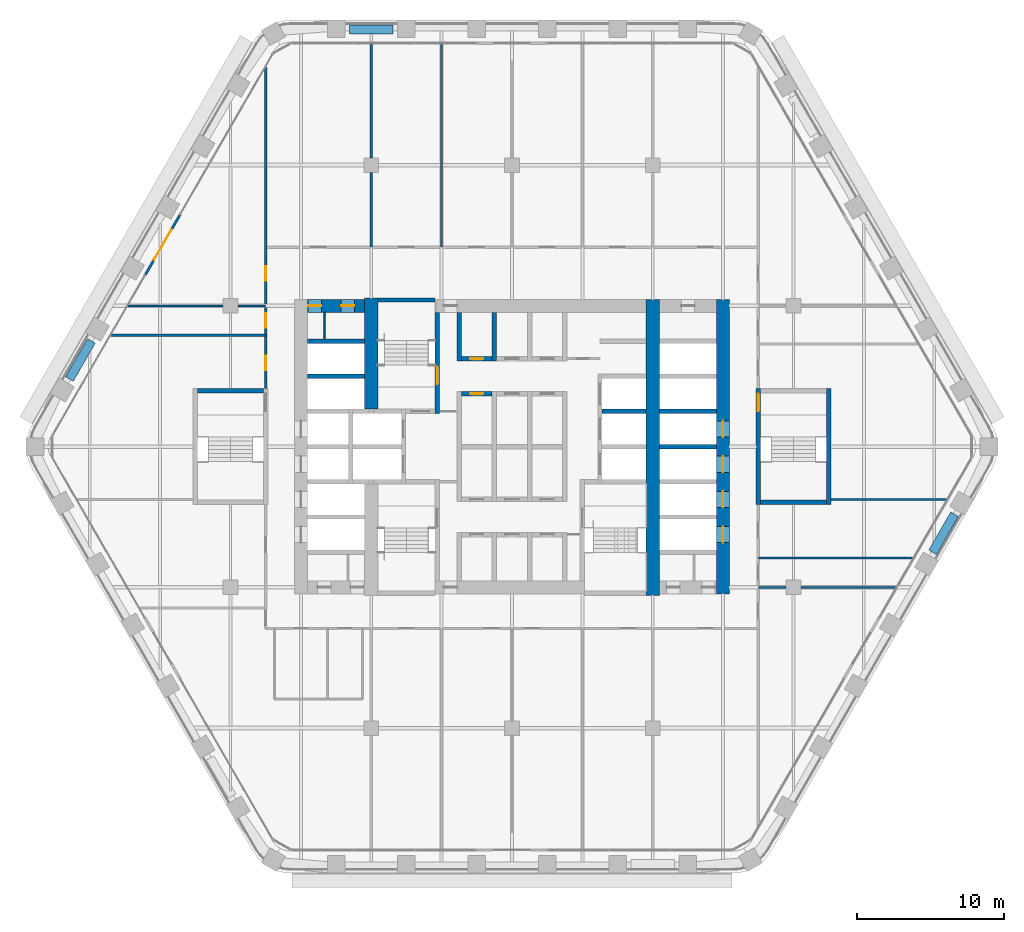
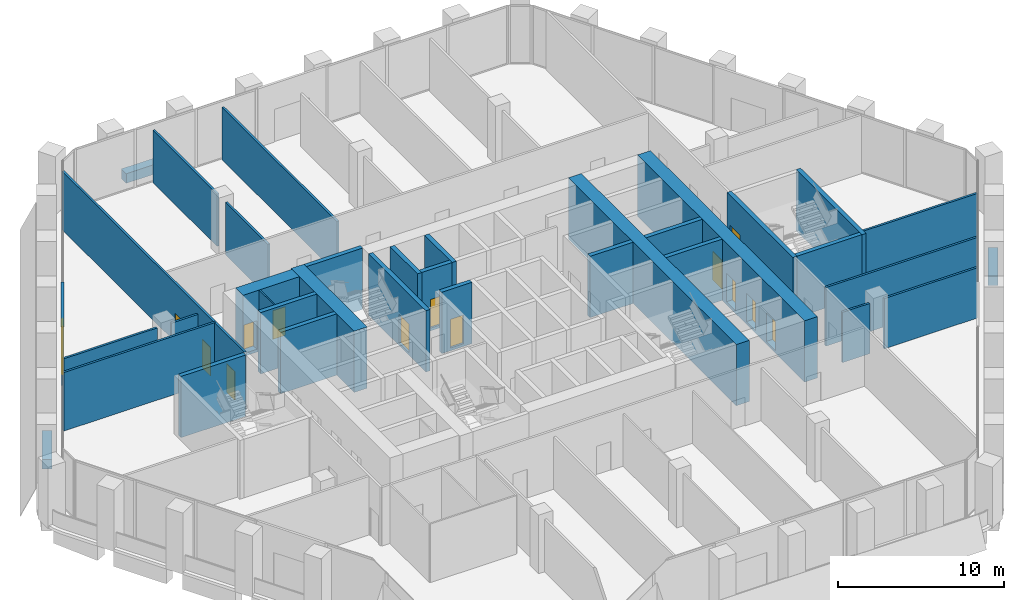
# One storey, part 15 of 22: 35 walls, 14 doors, 14 openings.
"""IFC4 building model written with IfcOpenShell, lengths in metres."""

from ifc_helpers import new_model, si_unit, direction, frame, frame_2d, origin, place, context, subcontext, project, spatial, rectangle, extrude, material, layer, layer_set, type_object, element, fill, save


model = new_model("IFC4")

# Units and contexts
model_context = context("Model", 3, precision=1e-05, world=origin(), true_north=direction((0.0, 1.0)))
body_context = subcontext(model_context, "Body", "Model", "MODEL_VIEW")
ifc_project = project(units=[si_unit("LENGTHUNIT", "METRE"), si_unit("AREAUNIT", "SQUARE_METRE"), si_unit("VOLUMEUNIT", "CUBIC_METRE"), si_unit("PLANEANGLEUNIT", "RADIAN"), si_unit("MASSUNIT", "GRAM", prefix="KILO")], contexts=[model_context])

# Site, building, storey
site_placement = place(None, origin())
site = spatial("IfcSite", under=ifc_project, at=site_placement, CompositionType="ELEMENT")
building_placement = place(site_placement, origin())
building = spatial("IfcBuilding", under=site, at=building_placement, Name="Kolab Exchange Tower", CompositionType="ELEMENT")
storey_placement = place(building_placement, frame((0.0, 0.0, 113.89990234375)))
storey = spatial("IfcBuildingStorey", under=building, at=storey_placement, Name="L22", CompositionType="ELEMENT", Elevation=113.89990234375)

# Wall, openings, doors
ifc_material_1 = material(Name="Concrete C70/85", Category="concrete")
ifc_layer_1 = layer(ifc_material_1, 0.89990234375)
ifc_layer_set_1 = layer_set([ifc_layer_1], Name="Concrete C70/85")
wall_type_1 = type_object("IfcWallType", Name="CORE WALL 900 C70/85", PredefinedType="SHEAR", material=ifc_layer_set_1)
wall_1_placement = place(storey_placement, frame((-13.949951171875, 9.60009765625, -0.199951171875), z_axis=(0.0, 0.0, 1.0), x_axis=(1.0, 0.0, 0.0)))
wall_1 = element("IfcWall", 1, at=wall_1_placement, inside=storey, type_object=wall_type_1, Name="wall/L22/core/051", PredefinedType="SHEAR", context=body_context, shape_type="SweptSolid", body=[
    extrude(rectangle(XDim=3.89990234375, YDim=0.89990234375, at=frame_2d((1.949951171875, 0.0))), origin(), (0.0, 0.0, 1.0), 4.5),
])
opening_1_placement = place(wall_1_placement, frame((0.050048828125, 0.0, 0.199951171875)))
opening_1 = element("IfcOpeningElement", 2, at=opening_1_placement, cuts=wall_1, Name="Opening D6-217", PredefinedType="OPENING", context=body_context, shape_type="SweptSolid", body=[
    extrude(rectangle(XDim=0.89990234375, YDim=2.10009765625, at=frame_2d((0.449951171875, 1.050048828125))), frame((0.0, 0.4599609375, 0.0), z_axis=(0.0, -1.0, 0.0), x_axis=(1.0, 0.0, 0.0)), (0.0, 0.0, 1.0), 0.919921875),
])
opening_2_placement = place(wall_1_placement, frame((2.300048828125, 0.0, 0.199951171875)))
opening_2 = element("IfcOpeningElement", 3, at=opening_2_placement, cuts=wall_1, Name="Opening D6-231", PredefinedType="OPENING", context=body_context, shape_type="SweptSolid", body=[
    extrude(rectangle(XDim=0.89990234375, YDim=2.10009765625, at=frame_2d((0.449951171875, 1.050048828125))), frame((0.0, 0.4599609375, 0.0), z_axis=(0.0, -1.0, 0.0), x_axis=(1.0, 0.0, 0.0)), (0.0, 0.0, 1.0), 0.919921875),
])
ifc_material_2 = material(Name="Steel S235", Category="steel")
door_type_1 = type_object("IfcDoorType", Name="CORE DOOR 900 EI 120", OperationType="SINGLE_SWING_LEFT", PredefinedType="DOOR", material=ifc_material_2)
door_1_placement = place(opening_1_placement, frame((0.89990234375, 0.0, 0.0), z_axis=(0.0, 0.0, 1.0), x_axis=(-1.0, 0.0, 0.0)))
door_1 = element("IfcDoor", 4, at=door_1_placement, inside=storey, type_object=door_type_1, Name="Service room door", OperationType="SINGLE_SWING_RIGHT", OverallHeight=2.10009765625, OverallWidth=0.89990234375, PredefinedType="DOOR", context=body_context, shape_type="SweptSolid", body=[
    extrude(rectangle(XDim=0.89990234375, YDim=2.10009765625, at=frame_2d((0.449951171875, 1.050048828125))), frame((0.0, 0.02490234375, 0.0), z_axis=(0.0, -1.0, 0.0), x_axis=(1.0, 0.0, 0.0)), (0.0, 0.0, 1.0), 0.050048828125),
])
fill(opening_1, door_1)
door_2_placement = place(opening_2_placement, frame((0.89990234375, 0.0, 0.0), z_axis=(0.0, 0.0, 1.0), x_axis=(-1.0, 0.0, 0.0)))
door_2 = element("IfcDoor", 5, at=door_2_placement, inside=storey, type_object=door_type_1, Name="Service room door", OperationType="SINGLE_SWING_RIGHT", OverallHeight=2.10009765625, OverallWidth=0.89990234375, PredefinedType="DOOR", context=body_context, shape_type="SweptSolid", body=[
    extrude(rectangle(XDim=0.89990234375, YDim=2.10009765625, at=frame_2d((0.449951171875, 1.050048828125))), frame((0.0, 0.02490234375, 0.0), z_axis=(0.0, -1.0, 0.0), x_axis=(1.0, 0.0, 0.0)), (0.0, 0.0, 1.0), 0.050048828125),
])
fill(opening_2, door_2)

# Walls
wall_2_placement = place(storey_placement, frame((-9.60009765625, 2.550048828125, -0.199951171875), z_axis=(0.0, 0.0, 1.0), x_axis=(0.0, 1.0, 0.0)))
element("IfcWall", 6, at=wall_2_placement, inside=storey, type_object=wall_type_1, Name="wall/L22/core/062", PredefinedType="SHEAR", context=body_context, shape_type="SweptSolid", body=[
    extrude(rectangle(XDim=7.599853515625, YDim=0.89990234375, at=frame_2d((3.7998046875, 0.0))), origin(), (0.0, 0.0, 1.0), 4.5),
])
wall_3_placement = place(storey_placement, frame((9.60009765625, -10.14990234375, -0.199951171875), z_axis=(0.0, 0.0, 1.0), x_axis=(0.0, 1.0, 0.0)))
element("IfcWall", 7, at=wall_3_placement, inside=storey, type_object=wall_type_1, Name="wall/L22/core/080", PredefinedType="SHEAR", context=body_context, shape_type="SweptSolid", body=[
    extrude(rectangle(XDim=20.199951171875, YDim=0.89990234375, at=frame_2d((10.10009765625, 0.0))), origin(), (0.0, 0.0, 1.0), 4.5),
])

# Wall, openings, doors
wall_4_placement = place(storey_placement, frame((14.39990234375, -10.050048828125, -0.199951171875), z_axis=(0.0, 0.0, 1.0), x_axis=(0.0, 1.0, 0.0)))
wall_4 = element("IfcWall", 8, at=wall_4_placement, inside=storey, type_object=wall_type_1, Name="wall/L22/core/081", PredefinedType="SHEAR", context=body_context, shape_type="SweptSolid", body=[
    extrude(rectangle(XDim=20.10009765625, YDim=0.89990234375, at=frame_2d((10.050048828125, 0.0))), origin(), (0.0, 0.0, 1.0), 4.5),
])
opening_3_placement = place(wall_4_placement, frame((3.5, 0.0, 0.199951171875)))
opening_3 = element("IfcOpeningElement", 9, at=opening_3_placement, cuts=wall_4, Name="Opening LD1-069", PredefinedType="OPENING", context=body_context, shape_type="SweptSolid", body=[
    extrude(rectangle(XDim=1.10009765625, YDim=2.10009765625, at=frame_2d((0.550048828125, 1.050048828125))), frame((0.0, 0.4599609375, 0.0), z_axis=(0.0, -1.0, 0.0), x_axis=(1.0, 0.0, 0.0)), (0.0, 0.0, 1.0), 0.919921875),
])
opening_4_placement = place(wall_4_placement, frame((5.89990234375, 0.0, 0.199951171875)))
opening_4 = element("IfcOpeningElement", 10, at=opening_4_placement, cuts=wall_4, Name="Opening LD1-070", PredefinedType="OPENING", context=body_context, shape_type="SweptSolid", body=[
    extrude(rectangle(XDim=1.10009765625, YDim=2.10009765625, at=frame_2d((0.550048828125, 1.050048828125))), frame((0.0, 0.4599609375, 0.0), z_axis=(0.0, -1.0, 0.0), x_axis=(1.0, 0.0, 0.0)), (0.0, 0.0, 1.0), 0.919921875),
])
opening_5_placement = place(wall_4_placement, frame((8.300048828125, 0.0, 0.199951171875)))
opening_5 = element("IfcOpeningElement", 11, at=opening_5_placement, cuts=wall_4, Name="Opening LD1-071", PredefinedType="OPENING", context=body_context, shape_type="SweptSolid", body=[
    extrude(rectangle(XDim=1.10009765625, YDim=2.10009765625, at=frame_2d((0.550048828125, 1.050048828125))), frame((0.0, 0.4599609375, 0.0), z_axis=(0.0, -1.0, 0.0), x_axis=(1.0, 0.0, 0.0)), (0.0, 0.0, 1.0), 0.919921875),
])
opening_6_placement = place(wall_4_placement, frame((10.699951171875, 0.0, 0.199951171875)))
opening_6 = element("IfcOpeningElement", 12, at=opening_6_placement, cuts=wall_4, Name="Opening LD1-072", PredefinedType="OPENING", context=body_context, shape_type="SweptSolid", body=[
    extrude(rectangle(XDim=1.10009765625, YDim=2.10009765625, at=frame_2d((0.550048828125, 1.050048828125))), frame((0.0, 0.4599609375, 0.0), z_axis=(0.0, -1.0, 0.0), x_axis=(1.0, 0.0, 0.0)), (0.0, 0.0, 1.0), 0.919921875),
])
ifc_material_3 = material(Name="Stainless steel 316", Category="steel")
door_type_2 = type_object("IfcDoorType", Name="LANDING DOOR 1100 PASSENGER", OperationType="DOUBLE_DOOR_SLIDING", PredefinedType="DOOR", material=ifc_material_3)
door_3_placement = place(opening_3_placement, origin())
door_3 = element("IfcDoor", 13, at=door_3_placement, inside=storey, type_object=door_type_2, Name="Landing door LR1", OperationType="DOUBLE_DOOR_SLIDING", OverallHeight=2.10009765625, OverallWidth=1.10009765625, PredefinedType="DOOR", context=body_context, shape_type="SweptSolid", body=[
    extrude(rectangle(XDim=1.10009765625, YDim=2.10009765625, at=frame_2d((0.550048828125, 1.050048828125))), frame((0.0, 0.02490234375, 0.0), z_axis=(0.0, -1.0, 0.0), x_axis=(1.0, 0.0, 0.0)), (0.0, 0.0, 1.0), 0.050048828125),
])
fill(opening_3, door_3)
door_4_placement = place(opening_4_placement, origin())
door_4 = element("IfcDoor", 14, at=door_4_placement, inside=storey, type_object=door_type_2, Name="Landing door LR2", OperationType="DOUBLE_DOOR_SLIDING", OverallHeight=2.10009765625, OverallWidth=1.10009765625, PredefinedType="DOOR", context=body_context, shape_type="SweptSolid", body=[
    extrude(rectangle(XDim=1.10009765625, YDim=2.10009765625, at=frame_2d((0.550048828125, 1.050048828125))), frame((0.0, 0.02490234375, 0.0), z_axis=(0.0, -1.0, 0.0), x_axis=(1.0, 0.0, 0.0)), (0.0, 0.0, 1.0), 0.050048828125),
])
fill(opening_4, door_4)
door_5_placement = place(opening_5_placement, origin())
door_5 = element("IfcDoor", 15, at=door_5_placement, inside=storey, type_object=door_type_2, Name="Landing door LR3", OperationType="DOUBLE_DOOR_SLIDING", OverallHeight=2.10009765625, OverallWidth=1.10009765625, PredefinedType="DOOR", context=body_context, shape_type="SweptSolid", body=[
    extrude(rectangle(XDim=1.10009765625, YDim=2.10009765625, at=frame_2d((0.550048828125, 1.050048828125))), frame((0.0, 0.02490234375, 0.0), z_axis=(0.0, -1.0, 0.0), x_axis=(1.0, 0.0, 0.0)), (0.0, 0.0, 1.0), 0.050048828125),
])
fill(opening_5, door_5)
door_6_placement = place(opening_6_placement, origin())
door_6 = element("IfcDoor", 16, at=door_6_placement, inside=storey, type_object=door_type_2, Name="Landing door LR4", OperationType="DOUBLE_DOOR_SLIDING", OverallHeight=2.10009765625, OverallWidth=1.10009765625, PredefinedType="DOOR", context=body_context, shape_type="SweptSolid", body=[
    extrude(rectangle(XDim=1.10009765625, YDim=2.10009765625, at=frame_2d((0.550048828125, 1.050048828125))), frame((0.0, 0.02490234375, 0.0), z_axis=(0.0, -1.0, 0.0), x_axis=(1.0, 0.0, 0.0)), (0.0, 0.0, 1.0), 0.050048828125),
])
fill(opening_6, door_6)

# Wall, opening, door
ifc_material_4 = material(Name="Aluminium EN AW-6063 T6", Category="aluminium")
ifc_layer_2 = layer(ifc_material_4, 0.159912109375)
ifc_layer_set_2 = layer_set([ifc_layer_2], Name="Aluminium EN AW-6063 T6")
wall_type_2 = type_object("IfcWallType", Name="DOOR SURROUND WALL 160 ALUMINIUM FRAMED", PredefinedType="PARTITIONING", material=ifc_layer_set_2)
wall_5_placement = place(storey_placement, frame((-25.0166015625, 11.706787109375, 0.0), z_axis=(0.0, 0.0, 1.0), x_axis=(0.499978080042, 0.866038058908, 0.0)))
wall_5 = element("IfcWall", 17, at=wall_5_placement, inside=storey, type_object=wall_type_2, Name="Door surround wall", PredefinedType="PARTITIONING", context=body_context, shape_type="SweptSolid", body=[
    extrude(rectangle(XDim=4.739990234375, YDim=0.159912109375, at=frame_2d((2.3701171875, 0.0))), origin(), (0.0, 0.0, 1.0), 4.300048828125),
])
opening_7_placement = place(wall_5_placement, frame((1.169921875, 0.0, 0.0)))
opening_7 = element("IfcOpeningElement", 18, at=opening_7_placement, cuts=wall_5, Name="Opening GD1-039", PredefinedType="OPENING", context=body_context, shape_type="SweptSolid", body=[
    extrude(rectangle(XDim=2.39990234375, YDim=2.39990234375, at=frame_2d((1.199951171875, 1.199951171875))), frame((0.0, 0.08984375, 0.0), z_axis=(0.0, -1.0, 0.0), x_axis=(1.0, 0.0, 0.0)), (0.0, 0.0, 1.0), 0.179931640625),
])
door_type_3 = type_object("IfcDoorType", Name="LOGGIA SLIDING GLASS DOOR 2400 X 2400", OperationType="DOUBLE_DOOR_SINGLE_SWING", PredefinedType="DOOR", material=ifc_material_4)
door_7_placement = place(opening_7_placement, origin())
door_7 = element("IfcDoor", 19, at=door_7_placement, inside=storey, type_object=door_type_3, Name="Loggia door", OperationType="DOUBLE_DOOR_SLIDING", OverallHeight=2.39990234375, OverallWidth=2.39990234375, PredefinedType="DOOR", context=body_context, shape_type="SweptSolid", body=[
    extrude(rectangle(XDim=2.39990234375, YDim=2.39990234375, at=frame_2d((1.199951171875, 1.199951171875))), frame((0.0, 0.02490234375, 0.0), z_axis=(0.0, -1.0, 0.0), x_axis=(1.0, 0.0, 0.0)), (0.0, 0.0, 1.0), 0.050048828125),
])
fill(opening_7, door_7)

# Walls
ifc_material_5 = material(Name="Concrete C50/60", Category="concrete")
ifc_layer_3 = layer(ifc_material_5, 0.300048828125)
ifc_layer_set_3 = layer_set([ifc_layer_3], Name="Concrete C50/60")
wall_type_3 = type_object("IfcWallType", Name="LIFT SHAFT WALL 300 C50/60", PredefinedType="STANDARD", material=ifc_layer_set_3)
wall_6_placement = place(storey_placement, frame((10.050048828125, 0.0, -0.199951171875), z_axis=(0.0, 0.0, 1.0), x_axis=(1.0, 0.0, 0.0)))
element("IfcWall", 20, at=wall_6_placement, inside=storey, type_object=wall_type_3, Name="wall/L22/core/030", PredefinedType="STANDARD", context=body_context, shape_type="SweptSolid", body=[
    extrude(rectangle(XDim=3.89990234375, YDim=0.300048828125, at=frame_2d((1.949951171875, 0.0))), origin(), (0.0, 0.0, 1.0), 4.5),
])
wall_7_placement = place(storey_placement, frame((6.14990234375, 2.39990234375, -0.199951171875), z_axis=(0.0, 0.0, 1.0), x_axis=(1.0, 0.0, 0.0)))
element("IfcWall", 21, at=wall_7_placement, inside=storey, type_object=wall_type_3, Name="wall/L22/core/035", PredefinedType="STANDARD", context=body_context, shape_type="SweptSolid", body=[
    extrude(rectangle(XDim=3.0, YDim=0.300048828125, at=frame_2d((1.5, 0.0))), origin(), (0.0, 0.0, 1.0), 4.5),
])
wall_8_placement = place(storey_placement, frame((10.050048828125, 2.39990234375, -0.199951171875), z_axis=(0.0, 0.0, 1.0), x_axis=(1.0, 0.0, 0.0)))
element("IfcWall", 22, at=wall_8_placement, inside=storey, type_object=wall_type_3, Name="wall/L22/core/036", PredefinedType="STANDARD", context=body_context, shape_type="SweptSolid", body=[
    extrude(rectangle(XDim=3.89990234375, YDim=0.300048828125, at=frame_2d((1.949951171875, 0.0))), origin(), (0.0, 0.0, 1.0), 4.5),
])

# Wall, opening, door
wall_9_placement = place(storey_placement, frame((-3.449951171875, 3.60009765625, -0.199951171875), z_axis=(0.0, 0.0, 1.0), x_axis=(1.0, 0.0, 0.0)))
wall_9 = element("IfcWall", 23, at=wall_9_placement, inside=storey, type_object=wall_type_3, Name="wall/L22/core/037", PredefinedType="STANDARD", context=body_context, shape_type="SweptSolid", body=[
    extrude(rectangle(XDim=2.099853515625, YDim=0.300048828125, at=frame_2d((1.0498046875, 0.0))), origin(), (0.0, 0.0, 1.0), 4.5),
])
opening_8_placement = place(wall_9_placement, frame((0.60009765625, 0.0, 0.199951171875)))
opening_8 = element("IfcOpeningElement", 24, at=opening_8_placement, cuts=wall_9, Name="Opening D6-196", PredefinedType="OPENING", context=body_context, shape_type="SweptSolid", body=[
    extrude(rectangle(XDim=0.89990234375, YDim=2.10009765625, at=frame_2d((0.449951171875, 1.050048828125))), frame((0.0, 0.16015625, 0.0), z_axis=(0.0, -1.0, 0.0), x_axis=(1.0, 0.0, 0.0)), (0.0, 0.0, 1.0), 0.320068359375),
])
door_8_placement = place(opening_8_placement, frame((0.89990234375, 0.0, 0.0), z_axis=(0.0, 0.0, 1.0), x_axis=(-1.0, 0.0, 0.0)))
door_8 = element("IfcDoor", 25, at=door_8_placement, inside=storey, type_object=door_type_1, Name="Service room door", OperationType="SINGLE_SWING_LEFT", OverallHeight=2.10009765625, OverallWidth=0.89990234375, PredefinedType="DOOR", context=body_context, shape_type="SweptSolid", body=[
    extrude(rectangle(XDim=0.89990234375, YDim=2.10009765625, at=frame_2d((0.449951171875, 1.050048828125))), frame((0.0, 0.02490234375, 0.0), z_axis=(0.0, -1.0, 0.0), x_axis=(1.0, 0.0, 0.0)), (0.0, 0.0, 1.0), 0.050048828125),
])
fill(opening_8, door_8)

# Wall
wall_10_placement = place(storey_placement, frame((-13.949951171875, 4.800048828125, -0.199951171875), z_axis=(0.0, 0.0, 1.0), x_axis=(1.0, 0.0, 0.0)))
element("IfcWall", 26, at=wall_10_placement, inside=storey, type_object=wall_type_3, Name="wall/L22/core/042", PredefinedType="STANDARD", context=body_context, shape_type="SweptSolid", body=[
    extrude(rectangle(XDim=3.89990234375, YDim=0.300048828125, at=frame_2d((1.949951171875, 0.0))), origin(), (0.0, 0.0, 1.0), 4.5),
])

# Wall, opening, door
wall_11_placement = place(storey_placement, frame((-3.449951171875, 6.0, -0.199951171875), z_axis=(0.0, 0.0, 1.0), x_axis=(1.0, 0.0, 0.0)))
wall_11 = element("IfcWall", 27, at=wall_11_placement, inside=storey, type_object=wall_type_3, Name="wall/L22/core/045", PredefinedType="STANDARD", context=body_context, shape_type="SweptSolid", body=[
    extrude(rectangle(XDim=2.099853515625, YDim=0.300048828125, at=frame_2d((1.0498046875, 0.0))), origin(), (0.0, 0.0, 1.0), 4.5),
])
opening_9_placement = place(wall_11_placement, frame((0.60009765625, 0.0, 0.199951171875)))
opening_9 = element("IfcOpeningElement", 28, at=opening_9_placement, cuts=wall_11, Name="Opening D6-193", PredefinedType="OPENING", context=body_context, shape_type="SweptSolid", body=[
    extrude(rectangle(XDim=0.89990234375, YDim=2.10009765625, at=frame_2d((0.449951171875, 1.050048828125))), frame((0.0, 0.16015625, 0.0), z_axis=(0.0, -1.0, 0.0), x_axis=(1.0, 0.0, 0.0)), (0.0, 0.0, 1.0), 0.320068359375),
])
door_9_placement = place(opening_9_placement, origin())
door_9 = element("IfcDoor", 29, at=door_9_placement, inside=storey, type_object=door_type_1, Name="Service room door", OperationType="SINGLE_SWING_LEFT", OverallHeight=2.10009765625, OverallWidth=0.89990234375, PredefinedType="DOOR", context=body_context, shape_type="SweptSolid", body=[
    extrude(rectangle(XDim=0.89990234375, YDim=2.10009765625, at=frame_2d((0.449951171875, 1.050048828125))), frame((0.0, 0.02490234375, 0.0), z_axis=(0.0, -1.0, 0.0), x_axis=(1.0, 0.0, 0.0)), (0.0, 0.0, 1.0), 0.050048828125),
])
fill(opening_9, door_9)

# Walls
wall_12_placement = place(storey_placement, frame((-13.949951171875, 7.199951171875, -0.199951171875), z_axis=(0.0, 0.0, 1.0), x_axis=(1.0, 0.0, 0.0)))
element("IfcWall", 30, at=wall_12_placement, inside=storey, type_object=wall_type_3, Name="wall/L22/core/048", PredefinedType="STANDARD", context=body_context, shape_type="SweptSolid", body=[
    extrude(rectangle(XDim=3.89990234375, YDim=0.300048828125, at=frame_2d((1.949951171875, 0.0))), origin(), (0.0, 0.0, 1.0), 4.5),
])
for number, where, z_axis, x_axis, name in (
    (31, (-3.60009765625, 5.85009765625, -0.199951171875), (0.0, 0.0, 1.0), (0.0, 1.0, 0.0), "wall/L22/core/068"),
    (32, (-1.199951171875, 5.85009765625, -0.199951171875), (0.0, 0.0, 1.0), (0.0, 1.0, 0.0), "wall/L22/core/071"),
):
    element("IfcWall", number, at=place(storey_placement, frame(where, z_axis=z_axis, x_axis=x_axis)), inside=storey, type_object=wall_type_3, Name=name, PredefinedType="STANDARD", context=body_context, shape_type="SweptSolid", body=[
        extrude(rectangle(XDim=3.2998046875, YDim=0.300048828125, at=frame_2d((1.64990234375, 0.0))), origin(), (0.0, 0.0, 1.0), 4.5),
    ])
ifc_material_6 = material(Name="Gypsum board", Category="gypsum")
ifc_layer_4 = layer(ifc_material_6, 0.10009765625)
ifc_layer_set_4 = layer_set([ifc_layer_4], Name="Gypsum board")
wall_type_4 = type_object("IfcWallType", Name="PARTITION 100", PredefinedType="PARTITIONING", material=ifc_layer_set_4)
wall_13_placement = place(storey_placement, frame((-12.800048828125, 7.35009765625, 0.0), z_axis=(0.0, 0.0, 1.0), x_axis=(0.0, 1.0, 0.0)))
element("IfcWall", 33, at=wall_13_placement, inside=storey, type_object=wall_type_4, Name="Partition 022", PredefinedType="PARTITIONING", context=body_context, shape_type="SweptSolid", body=[
    extrude(rectangle(XDim=1.7998046875, YDim=0.10009765625, at=frame_2d((0.89990234375, 0.0))), origin(), (0.0, 0.0, 1.0), 4.300048828125),
])
ifc_layer_5 = layer(ifc_material_6, 0.14990234375)
ifc_layer_set_5 = layer_set([ifc_layer_5], Name="Gypsum board")
wall_type_5 = type_object("IfcWallType", Name="PARTITION 150 FIRE-RATED", PredefinedType="PARTITIONING", material=ifc_layer_set_5)
wall_14_placement = place(storey_placement, frame((-4.800048828125, 13.60009765625, 0.0), z_axis=(0.0, 0.0, 1.0), x_axis=(0.0, 1.0, 0.0)))
element("IfcWall", 34, at=wall_14_placement, inside=storey, type_object=wall_type_5, Name="Partition 014", PredefinedType="PARTITIONING", context=body_context, shape_type="SweptSolid", body=[
    extrude(rectangle(XDim=13.828369140625, YDim=0.14990234375, at=frame_2d((6.9140625, 0.0))), origin(), (0.0, 0.0, 1.0), 3.843017578125),
])
wall_15_placement = place(storey_placement, frame((-9.60009765625, 13.60009765625, 0.0), z_axis=(0.0, 0.0, 1.0), x_axis=(0.0, 1.0, 0.0)))
element("IfcWall", 35, at=wall_15_placement, inside=storey, type_object=wall_type_5, Name="Partition 017", PredefinedType="PARTITIONING", context=body_context, shape_type="SweptSolid", body=[
    extrude(rectangle(XDim=5.099853515625, YDim=0.14990234375, at=frame_2d((2.5498046875, 0.0))), origin(), (0.0, 0.0, 1.0), 3.843017578125),
])
wall_16_placement = place(storey_placement, frame((-9.60009765625, 19.699951171875, 0.0), z_axis=(0.0, 0.0, 1.0), x_axis=(0.0, 1.0, 0.0)))
element("IfcWall", 36, at=wall_16_placement, inside=storey, type_object=wall_type_5, Name="Partition 018", PredefinedType="PARTITIONING", context=body_context, shape_type="SweptSolid", body=[
    extrude(rectangle(XDim=7.728515625, YDim=0.14990234375, at=frame_2d((3.8642578125, 0.0))), origin(), (0.0, 0.0, 1.0), 3.843017578125),
])

# Wall, openings, doors
wall_17_placement = place(storey_placement, frame((-16.800048828125, 3.949951171875, 0.0), z_axis=(0.0, 0.0, 1.0), x_axis=(0.0, 1.0, 0.0)))
wall_17 = element("IfcWall", 37, at=wall_17_placement, inside=storey, type_object=wall_type_5, Name="Partition 025", PredefinedType="PARTITIONING", context=body_context, shape_type="SweptSolid", body=[
    extrude(rectangle(XDim=21.908447265625, YDim=0.14990234375, at=frame_2d((10.9541015625, 0.0))), origin(), (0.0, 0.0, 1.0), 4.300048828125),
])
opening_10_placement = place(wall_17_placement, frame((1.25, 0.0, 0.0)))
opening_10 = element("IfcOpeningElement", 38, at=opening_10_placement, cuts=wall_17, Name="Opening D1-320", PredefinedType="OPENING", context=body_context, shape_type="SweptSolid", body=[
    extrude(rectangle(XDim=1.0, YDim=2.10009765625, at=frame_2d((0.5, 1.050048828125))), frame((0.0, 0.0849609375, 0.0), z_axis=(0.0, -1.0, 0.0), x_axis=(1.0, 0.0, 0.0)), (0.0, 0.0, 1.0), 0.169921875),
])
opening_11_placement = place(wall_17_placement, frame((4.14990234375, 0.0, 0.0)))
opening_11 = element("IfcOpeningElement", 39, at=opening_11_placement, cuts=wall_17, Name="Opening D1-321", PredefinedType="OPENING", context=body_context, shape_type="SweptSolid", body=[
    extrude(rectangle(XDim=1.0, YDim=2.10009765625, at=frame_2d((0.5, 1.050048828125))), frame((0.0, 0.0849609375, 0.0), z_axis=(0.0, -1.0, 0.0), x_axis=(1.0, 0.0, 0.0)), (0.0, 0.0, 1.0), 0.169921875),
])
opening_12_placement = place(wall_17_placement, frame((7.35009765625, 0.0, 0.0)))
opening_12 = element("IfcOpeningElement", 40, at=opening_12_placement, cuts=wall_17, Name="Opening D1-322", PredefinedType="OPENING", context=body_context, shape_type="SweptSolid", body=[
    extrude(rectangle(XDim=1.0, YDim=2.10009765625, at=frame_2d((0.5, 1.050048828125))), frame((0.0, 0.0849609375, 0.0), z_axis=(0.0, -1.0, 0.0), x_axis=(1.0, 0.0, 0.0)), (0.0, 0.0, 1.0), 0.169921875),
])
door_type_4 = type_object("IfcDoorType", Name="FLUSH DOOR 1000 FD60", OperationType="SINGLE_SWING_LEFT", PredefinedType="DOOR", material=ifc_material_2)
door_10_placement = place(opening_10_placement, origin())
door_10 = element("IfcDoor", 41, at=door_10_placement, inside=storey, type_object=door_type_4, Name="Door L22-067", OperationType="SINGLE_SWING_RIGHT", OverallHeight=2.10009765625, OverallWidth=1.0, PredefinedType="DOOR", context=body_context, shape_type="SweptSolid", body=[
    extrude(rectangle(XDim=1.0, YDim=2.10009765625, at=frame_2d((0.5, 1.050048828125))), frame((0.0, 0.02490234375, 0.0), z_axis=(0.0, -1.0, 0.0), x_axis=(1.0, 0.0, 0.0)), (0.0, 0.0, 1.0), 0.050048828125),
])
fill(opening_10, door_10)
door_11_placement = place(opening_11_placement, origin())
door_11 = element("IfcDoor", 42, at=door_11_placement, inside=storey, type_object=door_type_4, Name="Door L22-068", OperationType="SINGLE_SWING_RIGHT", OverallHeight=2.10009765625, OverallWidth=1.0, PredefinedType="DOOR", context=body_context, shape_type="SweptSolid", body=[
    extrude(rectangle(XDim=1.0, YDim=2.10009765625, at=frame_2d((0.5, 1.050048828125))), frame((0.0, 0.02490234375, 0.0), z_axis=(0.0, -1.0, 0.0), x_axis=(1.0, 0.0, 0.0)), (0.0, 0.0, 1.0), 0.050048828125),
])
fill(opening_11, door_11)
door_12_placement = place(opening_12_placement, origin())
door_12 = element("IfcDoor", 43, at=door_12_placement, inside=storey, type_object=door_type_4, Name="Door L22-069", OperationType="SINGLE_SWING_LEFT", OverallHeight=2.10009765625, OverallWidth=1.0, PredefinedType="DOOR", context=body_context, shape_type="SweptSolid", body=[
    extrude(rectangle(XDim=1.0, YDim=2.10009765625, at=frame_2d((0.5, 1.050048828125))), frame((0.0, 0.02490234375, 0.0), z_axis=(0.0, -1.0, 0.0), x_axis=(1.0, 0.0, 0.0)), (0.0, 0.0, 1.0), 0.050048828125),
])
fill(opening_12, door_12)

# Walls
wall_18_placement = place(storey_placement, frame((16.800048828125, -9.60009765625, 0.0), z_axis=(0.0, 0.0, 1.0), x_axis=(1.0, 0.0, 0.0)))
element("IfcWall", 44, at=wall_18_placement, inside=storey, type_object=wall_type_5, Name="Partition 029", PredefinedType="PARTITIONING", context=body_context, shape_type="SweptSolid", body=[
    extrude(rectangle(XDim=1.89990234375, YDim=0.14990234375, at=frame_2d((0.949951171875, 0.0))), origin(), (0.0, 0.0, 1.0), 3.692138671875),
])
wall_19_placement = place(storey_placement, frame((19.699951171875, -9.60009765625, 0.0), z_axis=(0.0, 0.0, 1.0), x_axis=(1.0, 0.0, 0.0)))
element("IfcWall", 45, at=wall_19_placement, inside=storey, type_object=wall_type_5, Name="Partition 030", PredefinedType="PARTITIONING", context=body_context, shape_type="SweptSolid", body=[
    extrude(rectangle(XDim=6.48681640625, YDim=0.14990234375, at=frame_2d((3.243408203125, 0.0))), origin(), (0.0, 0.0, 1.0), 3.692138671875),
])
wall_20_placement = place(storey_placement, frame((16.800048828125, -7.60009765625, 0.0), z_axis=(0.0, 0.0, 1.0), x_axis=(1.0, 0.0, 0.0)))
element("IfcWall", 46, at=wall_20_placement, inside=storey, type_object=wall_type_5, Name="Partition 031", PredefinedType="PARTITIONING", context=body_context, shape_type="SweptSolid", body=[
    extrude(rectangle(XDim=10.54150390625, YDim=0.14990234375, at=frame_2d((5.270751953125, 0.0))), origin(), (0.0, 0.0, 1.0), 4.300048828125),
])
wall_21_placement = place(storey_placement, frame((21.75, -3.60009765625, 0.0), z_axis=(0.0, 0.0, 1.0), x_axis=(1.0, 0.0, 0.0)))
element("IfcWall", 47, at=wall_21_placement, inside=storey, type_object=wall_type_5, Name="Partition 034", PredefinedType="PARTITIONING", context=body_context, shape_type="SweptSolid", body=[
    extrude(rectangle(XDim=7.90087890625, YDim=0.14990234375, at=frame_2d((3.950439453125, 0.0))), origin(), (0.0, 0.0, 1.0), 4.300048828125),
])
wall_22_placement = place(storey_placement, frame((-27.341552734375, 7.60009765625, 0.0), z_axis=(0.0, 0.0, 1.0), x_axis=(1.0, 0.0, 0.0)))
element("IfcWall", 48, at=wall_22_placement, inside=storey, type_object=wall_type_5, Name="Partition 037", PredefinedType="PARTITIONING", context=body_context, shape_type="SweptSolid", body=[
    extrude(rectangle(XDim=10.54150390625, YDim=0.14990234375, at=frame_2d((5.270751953125, 0.0))), origin(), (0.0, 0.0, 1.0), 4.300048828125),
])
wall_23_placement = place(storey_placement, frame((-26.186767578125, 9.60009765625, 0.0), z_axis=(0.0, 0.0, 1.0), x_axis=(1.0, 0.0, 0.0)))
element("IfcWall", 49, at=wall_23_placement, inside=storey, type_object=wall_type_5, Name="Partition 038", PredefinedType="PARTITIONING", context=body_context, shape_type="SweptSolid", body=[
    extrude(rectangle(XDim=6.48681640625, YDim=0.14990234375, at=frame_2d((3.243408203125, 0.0))), origin(), (0.0, 0.0, 1.0), 3.692138671875),
])
wall_24_placement = place(storey_placement, frame((-18.699951171875, 9.60009765625, 0.0), z_axis=(0.0, 0.0, 1.0), x_axis=(1.0, 0.0, 0.0)))
element("IfcWall", 50, at=wall_24_placement, inside=storey, type_object=wall_type_5, Name="Partition 039", PredefinedType="PARTITIONING", context=body_context, shape_type="SweptSolid", body=[
    extrude(rectangle(XDim=1.89990234375, YDim=0.14990234375, at=frame_2d((0.949951171875, 0.0))), origin(), (0.0, 0.0, 1.0), 3.692138671875),
])
ifc_material_7 = material(Name="Granite facing", Category="masonry")
ifc_layer_6 = layer(ifc_material_7, 0.0400390625)
ifc_material_8 = material(Name="Concrete C40/50 precast", Category="concrete")
ifc_layer_7 = layer(ifc_material_8, 0.56005859375)
ifc_layer_set_6 = layer_set([ifc_layer_6, ifc_layer_7], Name="Concrete C40/50 precast")
wall_type_6 = type_object("IfcWallType", Name="PLANTER BOX 600 X 700 SOIL DEPTH 550", PredefinedType="USERDEFINED", material=ifc_layer_set_6)
for number, where, z_axis, x_axis, name in (
    (51, (-11.10009765625, 28.448486328125, 0.0), (0.0, 0.0, 1.0), (1.0, 0.0, 0.0), "Planter"),
    (52, (30.18701171875, -4.611328125, 0.0), (0.0, 0.0, 1.0), (-0.499990139034, -0.866031096941, 0.0), "Planter"),
    (53, (-30.18701171875, 4.611328125, 0.0), (0.0, 0.0, 1.0), (0.499990139034, 0.866031096941, 0.0), "Planter"),
):
    element("IfcWall", number, at=place(storey_placement, frame(where, z_axis=z_axis, x_axis=x_axis)), inside=storey, type_object=wall_type_6, Name=name, ObjectType="PLANTER", PredefinedType="USERDEFINED", context=body_context, shape_type="SweptSolid", body=[
        extrude(rectangle(XDim=3.0, YDim=0.60009765625, at=frame_2d((1.5, 0.0))), origin(), (0.0, 0.0, 1.0), 0.7001953125),
    ])
ifc_layer_8 = layer(ifc_material_5, 0.300048828125)
ifc_layer_set_7 = layer_set([ifc_layer_8], Name="Concrete C50/60")
wall_type_7 = type_object("IfcWallType", Name="STAIR ENCLOSURE WALL 300 C50/60", PredefinedType="STANDARD", material=ifc_layer_set_7)
for number, where, z_axis, x_axis, name in (
    (54, (16.949951171875, -3.800048828125, -0.199951171875), (0.0, 0.0, 1.0), (1.0, 0.0, 0.0), "wall/L22/core/013"),
    (55, (-21.449951171875, 3.800048828125, -0.199951171875), (0.0, 0.0, 1.0), (1.0, 0.0, 0.0), "wall/L22/core/040"),
):
    element("IfcWall", number, at=place(storey_placement, frame(where, z_axis=z_axis, x_axis=x_axis)), inside=storey, type_object=wall_type_7, Name=name, PredefinedType="STANDARD", context=body_context, shape_type="SweptSolid", body=[
        extrude(rectangle(XDim=4.5, YDim=0.300048828125, at=frame_2d((2.25, 0.0))), origin(), (0.0, 0.0, 1.0), 4.5),
    ])
wall_25_placement = place(storey_placement, frame((-9.14990234375, 10.0, -0.199951171875), z_axis=(0.0, 0.0, 1.0), x_axis=(1.0, 0.0, 0.0)))
element("IfcWall", 56, at=wall_25_placement, inside=storey, type_object=wall_type_7, Name="wall/L22/core/054", PredefinedType="STANDARD", context=body_context, shape_type="SweptSolid", body=[
    extrude(rectangle(XDim=3.89990234375, YDim=0.300048828125, at=frame_2d((1.949951171875, 0.0))), origin(), (0.0, 0.0, 1.0), 4.5),
])

# Wall, opening, door
wall_26_placement = place(storey_placement, frame((-5.10009765625, 2.25, -0.199951171875), z_axis=(0.0, 0.0, 1.0), x_axis=(0.0, 1.0, 0.0)))
wall_26 = element("IfcWall", 57, at=wall_26_placement, inside=storey, type_object=wall_type_7, Name="wall/L22/core/065", PredefinedType="STANDARD", context=body_context, shape_type="SweptSolid", body=[
    extrude(rectangle(XDim=6.89990234375, YDim=0.300048828125, at=frame_2d((3.449951171875, 0.0))), origin(), (0.0, 0.0, 1.0), 4.5),
])
opening_13_placement = place(wall_26_placement, frame((2.0, 0.0, 0.199951171875)))
opening_13 = element("IfcOpeningElement", 58, at=opening_13_placement, cuts=wall_26, Name="Opening D4-044", PredefinedType="OPENING", context=body_context, shape_type="SweptSolid", body=[
    extrude(rectangle(XDim=1.199951171875, YDim=2.10009765625, at=frame_2d((0.60009765625, 1.050048828125))), frame((0.0, 0.16015625, 0.0), z_axis=(0.0, -1.0, 0.0), x_axis=(1.0, 0.0, 0.0)), (0.0, 0.0, 1.0), 0.320068359375),
])
door_type_5 = type_object("IfcDoorType", Name="STAIR DOOR 1200 EI 120", OperationType="SINGLE_SWING_LEFT", PredefinedType="DOOR", material=ifc_material_2)
door_13_placement = place(opening_13_placement, origin())
door_13 = element("IfcDoor", 59, at=door_13_placement, inside=storey, type_object=door_type_5, Name="Stair 1 door", OperationType="SINGLE_SWING_LEFT", OverallHeight=2.10009765625, OverallWidth=1.199951171875, PredefinedType="DOOR", context=body_context, shape_type="SweptSolid", body=[
    extrude(rectangle(XDim=1.199951171875, YDim=2.10009765625, at=frame_2d((0.60009765625, 1.050048828125))), frame((0.0, 0.02490234375, 0.0), z_axis=(0.0, -1.0, 0.0), x_axis=(1.0, 0.0, 0.0)), (0.0, 0.0, 1.0), 0.050048828125),
])
fill(opening_13, door_13)

wall_27_placement = place(storey_placement, frame((16.800048828125, -3.949951171875, -0.199951171875), z_axis=(0.0, 0.0, 1.0), x_axis=(0.0, 1.0, 0.0)))
wall_27 = element("IfcWall", 60, at=wall_27_placement, inside=storey, type_object=wall_type_7, Name="wall/L22/core/082", PredefinedType="STANDARD", context=body_context, shape_type="SweptSolid", body=[
    extrude(rectangle(XDim=7.89990234375, YDim=0.300048828125, at=frame_2d((3.949951171875, 0.0))), origin(), (0.0, 0.0, 1.0), 4.5),
])
opening_14_placement = place(wall_27_placement, frame((6.35009765625, 0.0, 0.199951171875)))
opening_14 = element("IfcOpeningElement", 61, at=opening_14_placement, cuts=wall_27, Name="Opening D4-047", PredefinedType="OPENING", context=body_context, shape_type="SweptSolid", body=[
    extrude(rectangle(XDim=1.199951171875, YDim=2.10009765625, at=frame_2d((0.60009765625, 1.050048828125))), frame((0.0, 0.16015625, 0.0), z_axis=(0.0, -1.0, 0.0), x_axis=(1.0, 0.0, 0.0)), (0.0, 0.0, 1.0), 0.320068359375),
])
door_14_placement = place(opening_14_placement, frame((1.199951171875, 0.0, 0.0), z_axis=(0.0, 0.0, 1.0), x_axis=(-1.0, 0.0, 0.0)))
door_14 = element("IfcDoor", 62, at=door_14_placement, inside=storey, type_object=door_type_5, Name="Stair 4 door", OperationType="SINGLE_SWING_RIGHT", OverallHeight=2.10009765625, OverallWidth=1.199951171875, PredefinedType="DOOR", context=body_context, shape_type="SweptSolid", body=[
    extrude(rectangle(XDim=1.199951171875, YDim=2.10009765625, at=frame_2d((0.60009765625, 1.050048828125))), frame((0.0, 0.02490234375, 0.0), z_axis=(0.0, -1.0, 0.0), x_axis=(1.0, 0.0, 0.0)), (0.0, 0.0, 1.0), 0.050048828125),
])
fill(opening_14, door_14)

# Wall
wall_28_placement = place(storey_placement, frame((21.60009765625, -3.949951171875, -0.199951171875), z_axis=(0.0, 0.0, 1.0), x_axis=(0.0, 1.0, 0.0)))
element("IfcWall", 63, at=wall_28_placement, inside=storey, type_object=wall_type_7, Name="wall/L22/core/083", PredefinedType="STANDARD", context=body_context, shape_type="SweptSolid", body=[
    extrude(rectangle(XDim=7.89990234375, YDim=0.300048828125, at=frame_2d((3.949951171875, 0.0))), origin(), (0.0, 0.0, 1.0), 4.5),
])

save(model, "model.ifc")
